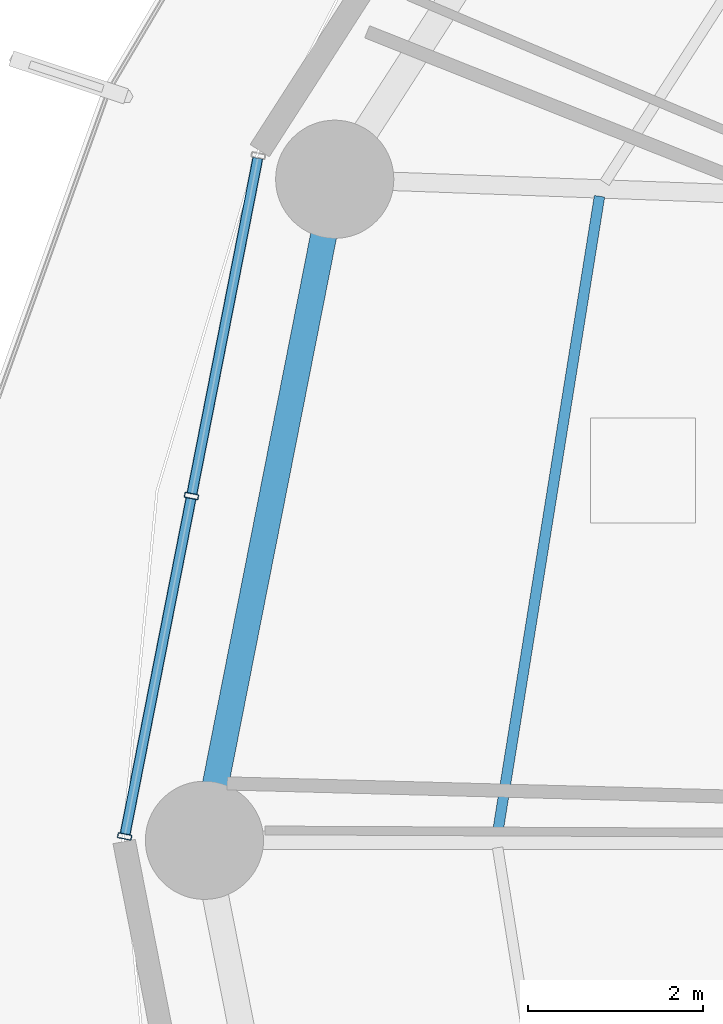
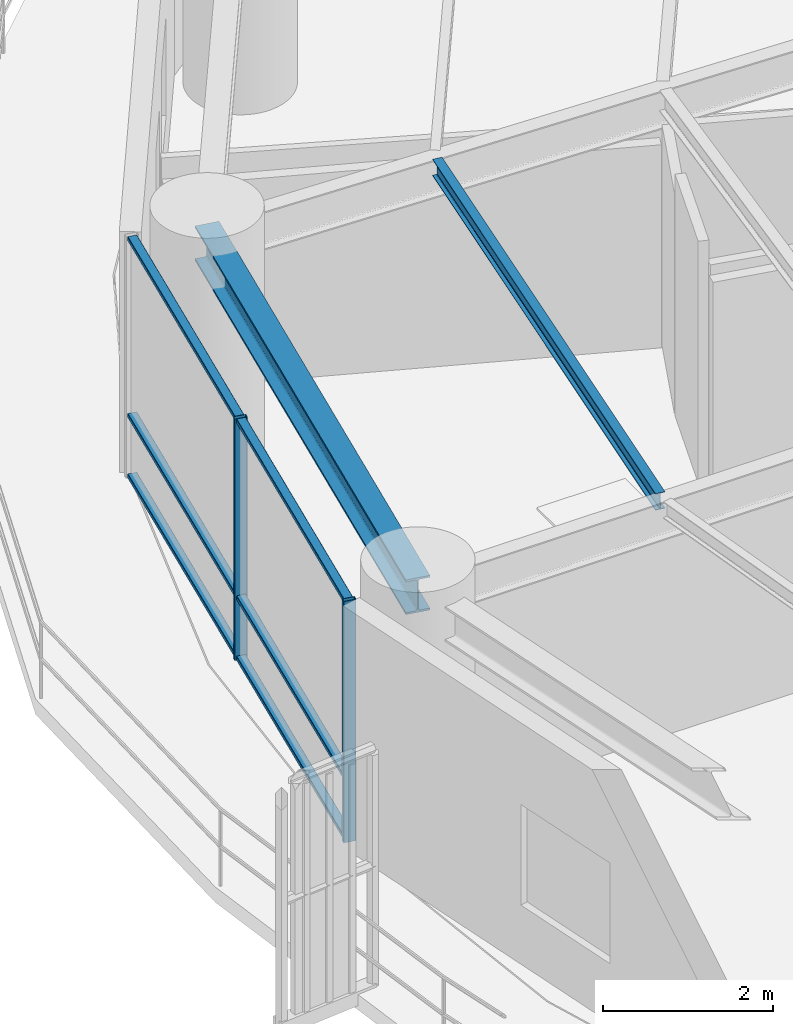
# One storey, part 6 of 33: 8 members, 2 beams, 1 element without a shape of its own.
"""IFC4 building model written with IfcOpenShell, lengths in metres."""

import ifcopenshell
import ifcopenshell.guid

model = None  # the IFC model being written
_history = None  # IfcOwnerHistory: only IFC2X3 demands one
_inside = {}  # id of a spatial element -> (the spatial element, [elements in it])
_under = {}  # id of a project, library or spatial element -> (it, [spatial elements below it])
_declared = {}  # id of a project -> (the project, [libraries it declares])
_typed = {}  # id of a type object -> (the type object, [elements of that type])
_made_of = {}  # id of a material, layer set ... -> (it, [elements and type objects made of it])


def new_model(schema):
    """Start an empty IFC model of exactly this schema.

    Asked for "IFC4X3", IfcOpenShell would pick the latest addendum, in which some entities
    have other attributes; the version numbers below select the first issue.
    IFC2X3 requires an IfcOwnerHistory on every rooted entity: one is made here for all.
    """
    global model, _history
    if schema == "IFC4X3":
        model = ifcopenshell.file(schema_version=(4, 3, 0, 0))
    else:
        model = ifcopenshell.file(schema=schema)
    _inside.clear()
    _under.clear()
    _declared.clear()
    _typed.clear()
    _made_of.clear()
    _history = None
    if model.schema == "IFC2X3":
        org = make("IfcOrganization", Name="unknown")
        user = make(
            "IfcPersonAndOrganization",
            ThePerson=make("IfcPerson", FamilyName="unknown"),
            TheOrganization=org,
        )
        app = make(
            "IfcApplication",
            ApplicationDeveloper=org,
            Version="unknown",
            ApplicationFullName="unknown",
            ApplicationIdentifier="unknown",
        )
        _history = make(
            "IfcOwnerHistory",
            OwningUser=user,
            OwningApplication=app,
            ChangeAction="ADDED",
            CreationDate=0,
        )
    return model


def make(cls, **values):
    """One entity of the class cls with the attributes given. An attribute that is None is left unset."""
    return model.create_entity(
        cls, **{name: value for name, value in values.items() if value is not None}
    )


def rooted(cls, **values):
    """An entity with a GlobalId (a new one), such as an element, a storey or a relation."""
    return make(cls, GlobalId=ifcopenshell.guid.new(), OwnerHistory=_history, **values)


def si_unit(unit_type, name, prefix=None):
    """IfcSIUnit, for example si_unit("LENGTHUNIT", "METRE", prefix="MILLI")."""
    return make("IfcSIUnit", UnitType=unit_type, Prefix=prefix, Name=name)


def assignment(units):
    """IfcUnitAssignment: the units of a project."""
    return None if units is None else make("IfcUnitAssignment", Units=units)


def point(xyz):
    """IfcCartesianPoint."""
    return None if xyz is None else make("IfcCartesianPoint", Coordinates=xyz)


def direction(xyz):
    """IfcDirection."""
    return None if xyz is None else make("IfcDirection", DirectionRatios=xyz)


def frame(location, z_axis=None, x_axis=None):
    """IfcAxis2Placement3D, a coordinate frame: its origin and axes. An axis left out is left unset."""
    return make(
        "IfcAxis2Placement3D",
        Location=point(location),
        Axis=direction(z_axis),
        RefDirection=direction(x_axis),
    )


def frame_2d(location, x_axis=None):
    """IfcAxis2Placement2D, a coordinate frame in the plane: its origin and x axis."""
    return make(
        "IfcAxis2Placement2D", Location=point(location), RefDirection=direction(x_axis)
    )


def origin():
    """The frame at (0, 0, 0) with its axes left unset."""
    return frame((0.0, 0.0, 0.0))


def origin_2d():
    """The frame at (0, 0) in the plane with its x axis left unset."""
    return frame_2d((0.0, 0.0))


def place(relative_to, where):
    """IfcLocalPlacement: puts the frame where relative to a parent placement (None: the world)."""
    return make(
        "IfcLocalPlacement", PlacementRelTo=relative_to, RelativePlacement=where
    )


def context(
    kind, dimensions, precision=None, world=None, true_north=None, identifier=None
):
    """IfcGeometricRepresentationContext, for example the 3D "Model" context."""
    return make(
        "IfcGeometricRepresentationContext",
        ContextIdentifier=identifier,
        ContextType=kind,
        CoordinateSpaceDimension=dimensions,
        Precision=precision,
        WorldCoordinateSystem=world,
        TrueNorth=true_north,
    )


def subcontext(parent, identifier, kind, view, scale=None):
    """IfcGeometricRepresentationSubContext, for example "Body" below "Model"."""
    return make(
        "IfcGeometricRepresentationSubContext",
        ContextIdentifier=identifier,
        ContextType=kind,
        ParentContext=parent,
        TargetScale=scale,
        TargetView=view,
    )


def project(units=None, contexts=None):
    """IfcProject with its units and contexts."""
    return rooted(
        "IfcProject",
        Name="project",
        RepresentationContexts=contexts,
        UnitsInContext=assignment(units),
    )


def spatial(cls, under=None, at=None, **own):
    """A site, building, storey or space (cls), placed at a placement, below another one or the project."""
    s = rooted(cls, ObjectPlacement=at, **own)
    if under is not None:
        _under.setdefault(under.id(), (under, []))[1].append(s)
    return s


def profile(cls, at=None, kind="AREA", **sizes):
    """A parametric profile (cls). Its sizes go by their IFC names, for example OverallWidth=200.0."""
    return make(cls, ProfileType=kind, Position=at, **sizes)


def hollow_rectangle(**sizes):
    """IfcRectangleHollowProfileDef."""
    return profile("IfcRectangleHollowProfileDef", **sizes)


def i_section(**sizes):
    """IfcIShapeProfileDef."""
    return profile("IfcIShapeProfileDef", **sizes)


def extrude(swept, where, along, depth):
    """IfcExtrudedAreaSolid: the profile swept, set in the frame where, extruded along a direction by depth."""
    return make(
        "IfcExtrudedAreaSolid",
        SweptArea=swept,
        Position=where,
        ExtrudedDirection=direction(along),
        Depth=depth,
    )


def shape(context_of_items, identifier, shape_type, items):
    """IfcShapeRepresentation: the items that make up one representation, for example the "Body"."""
    return make(
        "IfcShapeRepresentation",
        ContextOfItems=context_of_items,
        RepresentationIdentifier=identifier,
        RepresentationType=shape_type,
        Items=items,
    )


def material(Name=None, Category=None):
    """IfcMaterial."""
    return make("IfcMaterial", Name=Name, Category=Category)


def layer(
    of_material, thickness, ventilated=None, Name=None, Category=None, Priority=None
):
    """IfcMaterialLayer: one layer of a wall or slab, of a material (None: an air gap)."""
    return make(
        "IfcMaterialLayer",
        Material=of_material,
        LayerThickness=thickness,
        IsVentilated=ventilated,
        Name=Name,
        Category=Category,
        Priority=Priority,
    )


def layer_set(layers, Name=None):
    """IfcMaterialLayerSet."""
    return make("IfcMaterialLayerSet", MaterialLayers=layers, LayerSetName=Name)


def material_profile(
    of_material, cross_section, Name=None, Category=None, Priority=None
):
    """IfcMaterialProfile: a cross section and its material."""
    return make(
        "IfcMaterialProfile",
        Name=Name,
        Material=of_material,
        Profile=cross_section,
        Priority=Priority,
        Category=Category,
    )


def profile_set(profiles, Name=None, composite=None):
    """IfcMaterialProfileSet."""
    return make(
        "IfcMaterialProfileSet",
        Name=Name,
        MaterialProfiles=profiles,
        CompositeProfile=composite,
    )


def made_of(thing, what):
    """Note that an element or type object is made of a material, layer set ...; save() writes the relation."""
    if what is not None:
        _made_of.setdefault(what.id(), (what, []))[1].append(thing)
    return thing


def type_object(cls, material=None, **own):
    """A type object (cls), such as IfcWallType, which elements share."""
    return made_of(rooted(cls, **own), material)


def element(
    cls,
    number,
    at=None,
    inside=None,
    cuts=None,
    type_object=None,
    material=None,
    context=None,
    identifier="Body",
    shape_type=None,
    held_by="IfcProductDefinitionShape",
    body=None,
    shapes=None,
    **own,
):
    """One element of the class cls, such as IfcWall. Its Tag is "e" and its number.

    at: its placement. inside: the storey or other place that contains it. cuts: it is an
    opening in that element (IfcRelVoidsElement). A single representation is given by context,
    identifier, shape_type and body (its items); several are given by shapes. held_by: the class
    of the entity that holds the representations. save() writes the other relations.
    """
    e = rooted(cls, Tag="e%d" % number, ObjectPlacement=at, **own)
    if body is not None:
        shapes = [shape(context, identifier, shape_type, body)]
    if shapes is not None:
        e.Representation = make(held_by, Representations=shapes)
    if inside is not None:
        _inside.setdefault(inside.id(), (inside, []))[1].append(e)
    if cuts is not None:
        rooted(
            "IfcRelVoidsElement", RelatingBuildingElement=cuts, RelatedOpeningElement=e
        )
    if type_object is not None:
        _typed.setdefault(type_object.id(), (type_object, []))[1].append(e)
    return made_of(e, material)


def aggregate(whole, parts):
    """IfcRelAggregates: a whole, such as a stair, and the parts it consists of."""
    return rooted("IfcRelAggregates", RelatingObject=whole, RelatedObjects=parts)


def save(model, path):
    """Write the relations noted so far, then the file.

    IfcRelAggregates (storeys below a building ...), IfcRelContainedInSpatialStructure (elements
    in a storey), IfcRelDefinesByType, IfcRelAssociatesMaterial and IfcRelDeclares: one each for
    every whole, place, type object, material and project.
    """
    for whole, parts in _under.values():
        aggregate(whole, parts)
    for where, things in _inside.values():
        rooted(
            "IfcRelContainedInSpatialStructure",
            RelatedElements=things,
            RelatingStructure=where,
        )
    for kind, things in _typed.values():
        rooted("IfcRelDefinesByType", RelatedObjects=things, RelatingType=kind)
    for what, things in _made_of.values():
        rooted("IfcRelAssociatesMaterial", RelatedObjects=things, RelatingMaterial=what)
    for by, libraries in _declared.values():
        rooted("IfcRelDeclares", RelatingContext=by, RelatedDefinitions=libraries)
    model.write(path)


model = new_model("IFC4")

# Units and contexts
model_context = context("Model", 3, precision=1e-05, world=origin(), true_north=direction((0.0, 1.0)))
body_context = subcontext(model_context, "Body", "Model", "MODEL_VIEW")
ifc_project = project(units=[si_unit("LENGTHUNIT", "METRE"), si_unit("AREAUNIT", "SQUARE_METRE"), si_unit("VOLUMEUNIT", "CUBIC_METRE"), si_unit("PLANEANGLEUNIT", "RADIAN"), si_unit("MASSUNIT", "GRAM", prefix="KILO")], contexts=[model_context])

# Site, building, storey
site_placement = place(None, origin())
site = spatial("IfcSite", under=ifc_project, at=site_placement, CompositionType="ELEMENT")
building_placement = place(site_placement, origin())
building = spatial("IfcBuilding", under=site, at=building_placement, Name="Kelanora Arch Commons", CompositionType="ELEMENT")
storey_placement = place(building_placement, frame((0.0, 0.0, 83.85009765625)))
storey = spatial("IfcBuildingStorey", under=building, at=storey_placement, Name="L21", CompositionType="ELEMENT", Elevation=83.85009765625)

# Beams
ifc_material_1 = material(Name="Steel S355", Category="steel")
ifc_material_profile_1 = material_profile(ifc_material_1, i_section(OverallWidth=0.1201171875, OverallDepth=0.239990234375, WebThickness=0.006103515625, FlangeThickness=0.009765625, FilletRadius=0.014892578125, at=origin_2d()), Name="IPE240")
ifc_profile_set_1 = profile_set([ifc_material_profile_1], Name="Steel S355")
beam_type_1 = type_object("IfcBeamType", Name="BM-JST-02", PredefinedType="JOIST", material=ifc_profile_set_1)
beam_1_placement = place(storey_placement, frame((53.833251953125, 65.357421875, 3.369873046875), z_axis=(-0.157999549894, -0.987439184068, 0.0), x_axis=(0.987439184068, -0.157999549894, 0.0)))
element("IfcBeam", 1, at=beam_1_placement, inside=storey, type_object=beam_type_1, Name="Secondary Chord Joist BJC-16 L21", PredefinedType="JOIST", context=body_context, shape_type="SweptSolid", body=[
    extrude(i_section(OverallWidth=0.1201171875, OverallDepth=0.239990234375, WebThickness=0.006103515625, FlangeThickness=0.009765625, FilletRadius=0.014892578125, at=origin_2d()), origin(), (0.0, 0.0, 1.0), 7.365966796875),
])
ifc_material_profile_2 = material_profile(ifc_material_1, i_section(OverallWidth=0.300048828125, OverallDepth=0.5, WebThickness=0.014404296875, FlangeThickness=0.028076171875, FilletRadius=0.027099609375, at=origin_2d()), Name="HEB500")
ifc_profile_set_2 = profile_set([ifc_material_profile_2], Name="Steel S355")
beam_type_2 = type_object("IfcBeamType", Name="BM-SPN-Z2", PredefinedType="SPANDREL", material=ifc_profile_set_2)
beam_2_placement = place(storey_placement, frame((50.808349609375, 65.5517578125, 3.239990234375), z_axis=(-0.19335825777, -0.981128220037, 0.0), x_axis=(0.981128220037, -0.19335825777, 0.0)))
element("IfcBeam", 2, at=beam_2_placement, inside=storey, type_object=beam_type_2, Name="Perimeter Spandrel Beam BS-16 L21", PredefinedType="SPANDREL", context=body_context, shape_type="SweptSolid", body=[
    extrude(i_section(OverallWidth=0.300048828125, OverallDepth=0.5, WebThickness=0.014404296875, FlangeThickness=0.028076171875, FilletRadius=0.027099609375, at=origin_2d()), origin(), (0.0, 0.0, 1.0), 7.697021484375),
])

# Curtain wall, members
ifc_material_2 = material(Name="Terracotta ceramic-fritted low-E glass and aluminium", Category="masonry")
ifc_layer = layer(ifc_material_2, 0.159912109375)
ifc_layer_set = layer_set([ifc_layer], Name="Terracotta ceramic-fritted low-E glass and aluminium")
curtain_wall_type = type_object("IfcCurtainWallType", Name="CW-SYS-01", PredefinedType="NOTDEFINED", material=ifc_layer_set)
curtain_wall_placement = place(storey_placement, origin())
curtain_wall = element("IfcCurtainWall", 3, at=curtain_wall_placement, inside=storey, type_object=curtain_wall_type, Name="Unitised Curtain Wall L21-B08", PredefinedType="NOTDEFINED")
ifc_material_3 = material(Name="Powder-coated aluminium terracotta", Category="masonry")
ifc_material_profile_3 = material_profile(ifc_material_3, hollow_rectangle(XDim=0.159912109375, YDim=0.06005859375, WallThickness=0.0048828125, InnerFilletRadius=0.0048828125, OuterFilletRadius=0.010009765625, at=origin_2d()), Name="CWM160x60")
ifc_profile_set_3 = profile_set([ifc_material_profile_3], Name="Powder-coated aluminium terracotta")
member_type_1 = type_object("IfcMemberType", Name="CWM-STD", PredefinedType="MULLION", material=ifc_profile_set_3)
member_1_placement = place(storey_placement, frame((49.171875, 61.933349609375, 0.0), z_axis=(0.0, 0.0, 1.0), x_axis=(0.981280311646, -0.192584916272, 0.0)))
member_1 = element("IfcMember", 4, at=member_1_placement, type_object=member_type_1, Name="CW-01 mullion 2", PredefinedType="MULLION", context=body_context, shape_type="SweptSolid", body=[
    extrude(hollow_rectangle(XDim=0.159912109375, YDim=0.06005859375, WallThickness=0.0048828125, InnerFilletRadius=0.0048828125, OuterFilletRadius=0.010009765625, at=origin_2d()), origin(), (0.0, 0.0, 1.0), 3.474853515625),
])
member_2_placement = place(storey_placement, frame((48.40869140625, 58.044189453125, 0.0), z_axis=(0.0, 0.0, 1.0), x_axis=(0.981280311646, -0.192584916272, 0.0)))
member_2 = element("IfcMember", 5, at=member_2_placement, type_object=member_type_1, Name="CW-01 mullion 3", PredefinedType="MULLION", context=body_context, shape_type="SweptSolid", body=[
    extrude(hollow_rectangle(XDim=0.159912109375, YDim=0.06005859375, WallThickness=0.0048828125, InnerFilletRadius=0.0048828125, OuterFilletRadius=0.010009765625, at=origin_2d()), origin(), (0.0, 0.0, 1.0), 3.474853515625),
])
ifc_material_profile_4 = material_profile(ifc_material_3, hollow_rectangle(XDim=0.1201171875, YDim=0.06005859375, WallThickness=0.0048828125, InnerFilletRadius=0.0048828125, OuterFilletRadius=0.010009765625, at=origin_2d()), Name="CWT120x60")
ifc_profile_set_4 = profile_set([ifc_material_profile_4], Name="Powder-coated aluminium terracotta")
member_type_2 = type_object("IfcMemberType", Name="CWT-STD", PredefinedType="USERDEFINED", material=ifc_profile_set_4)
member_3_placement = place(storey_placement, frame((49.929443359375, 65.79296875, 0.02978515625), z_axis=(-0.192578614785, -0.981281548348, 0.0), x_axis=(0.981281548348, -0.192578614785, 0.0)))
member_3 = element("IfcMember", 6, at=member_3_placement, type_object=member_type_2, Name="CW-01 transom 1.1", ObjectType="TRANSOM", PredefinedType="USERDEFINED", context=body_context, shape_type="SweptSolid", body=[
    extrude(hollow_rectangle(XDim=0.1201171875, YDim=0.06005859375, WallThickness=0.0048828125, InnerFilletRadius=0.0048828125, OuterFilletRadius=0.010009765625, at=origin_2d()), origin(), (0.0, 0.0, 1.0), 3.9033203125),
])
member_4_placement = place(storey_placement, frame((49.929443359375, 65.79296875, 0.89990234375), z_axis=(-0.192578614785, -0.981281548348, 0.0), x_axis=(0.981281548348, -0.192578614785, 0.0)))
member_4 = element("IfcMember", 7, at=member_4_placement, type_object=member_type_2, Name="CW-01 transom 1.2", ObjectType="TRANSOM", PredefinedType="USERDEFINED", context=body_context, shape_type="SweptSolid", body=[
    extrude(hollow_rectangle(XDim=0.1201171875, YDim=0.06005859375, WallThickness=0.0048828125, InnerFilletRadius=0.0048828125, OuterFilletRadius=0.010009765625, at=origin_2d()), origin(), (0.0, 0.0, 1.0), 3.9033203125),
])
member_5_placement = place(storey_placement, frame((49.929443359375, 65.79296875, 3.44482421875), z_axis=(-0.192578614785, -0.981281548348, 0.0), x_axis=(0.981281548348, -0.192578614785, 0.0)))
member_5 = element("IfcMember", 8, at=member_5_placement, type_object=member_type_2, Name="CW-01 transom 1.3", ObjectType="TRANSOM", PredefinedType="USERDEFINED", context=body_context, shape_type="SweptSolid", body=[
    extrude(hollow_rectangle(XDim=0.1201171875, YDim=0.06005859375, WallThickness=0.0048828125, InnerFilletRadius=0.0048828125, OuterFilletRadius=0.010009765625, at=origin_2d()), origin(), (0.0, 0.0, 1.0), 3.9033203125),
])
member_6_placement = place(storey_placement, frame((49.166259765625, 61.90380859375, 0.02978515625), z_axis=(-0.192578614785, -0.981281548348, 0.0), x_axis=(0.981281548348, -0.192578614785, 0.0)))
member_6 = element("IfcMember", 9, at=member_6_placement, type_object=member_type_2, Name="CW-01 transom 2.1", ObjectType="TRANSOM", PredefinedType="USERDEFINED", context=body_context, shape_type="SweptSolid", body=[
    extrude(hollow_rectangle(XDim=0.1201171875, YDim=0.06005859375, WallThickness=0.0048828125, InnerFilletRadius=0.0048828125, OuterFilletRadius=0.010009765625, at=origin_2d()), origin(), (0.0, 0.0, 1.0), 3.9033203125),
])
member_7_placement = place(storey_placement, frame((49.166259765625, 61.90380859375, 0.89990234375), z_axis=(-0.192578614785, -0.981281548348, 0.0), x_axis=(0.981281548348, -0.192578614785, 0.0)))
member_7 = element("IfcMember", 10, at=member_7_placement, type_object=member_type_2, Name="CW-01 transom 2.2", ObjectType="TRANSOM", PredefinedType="USERDEFINED", context=body_context, shape_type="SweptSolid", body=[
    extrude(hollow_rectangle(XDim=0.1201171875, YDim=0.06005859375, WallThickness=0.0048828125, InnerFilletRadius=0.0048828125, OuterFilletRadius=0.010009765625, at=origin_2d()), origin(), (0.0, 0.0, 1.0), 3.9033203125),
])
member_8_placement = place(storey_placement, frame((49.166259765625, 61.90380859375, 3.44482421875), z_axis=(-0.192578614785, -0.981281548348, 0.0), x_axis=(0.981281548348, -0.192578614785, 0.0)))
member_8 = element("IfcMember", 11, at=member_8_placement, type_object=member_type_2, Name="CW-01 transom 2.3", ObjectType="TRANSOM", PredefinedType="USERDEFINED", context=body_context, shape_type="SweptSolid", body=[
    extrude(hollow_rectangle(XDim=0.1201171875, YDim=0.06005859375, WallThickness=0.0048828125, InnerFilletRadius=0.0048828125, OuterFilletRadius=0.010009765625, at=origin_2d()), origin(), (0.0, 0.0, 1.0), 3.9033203125),
])
aggregate(curtain_wall, [member_1, member_2, member_3, member_4, member_5, member_6, member_7, member_8])

save(model, "model.ifc")
